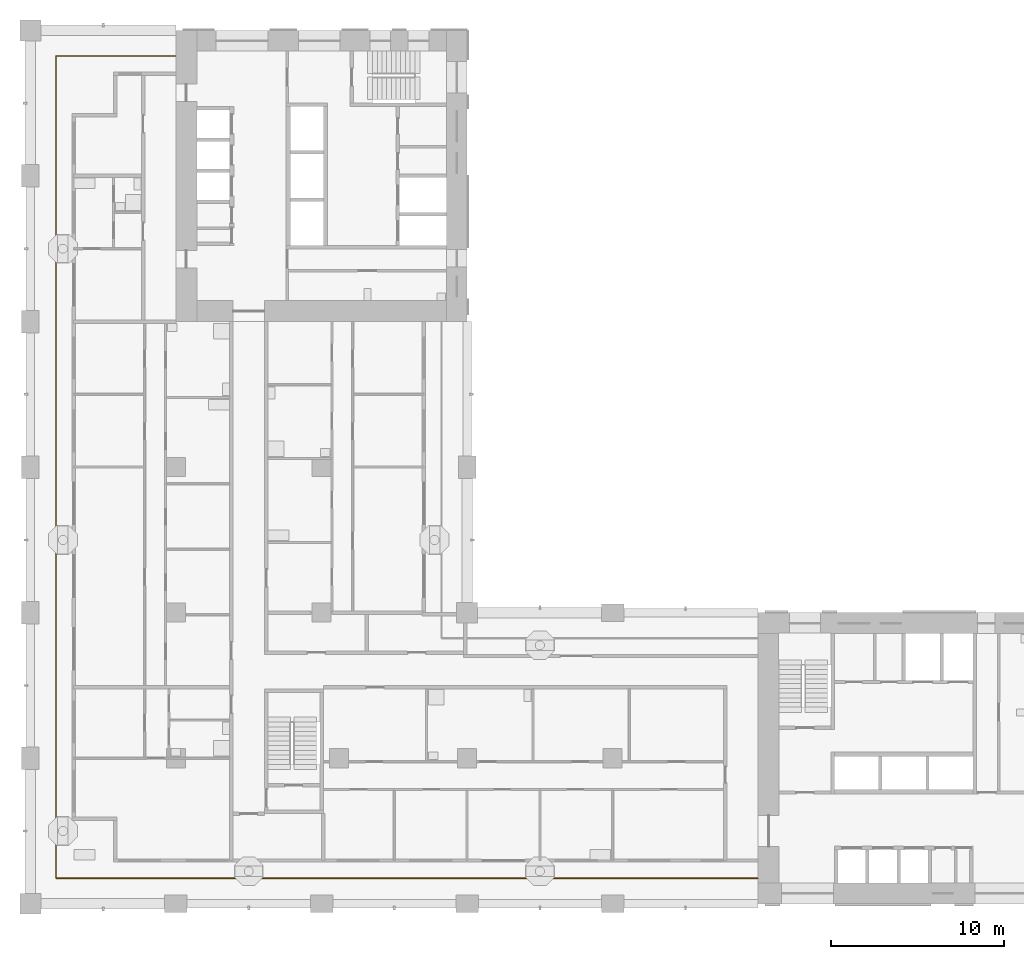
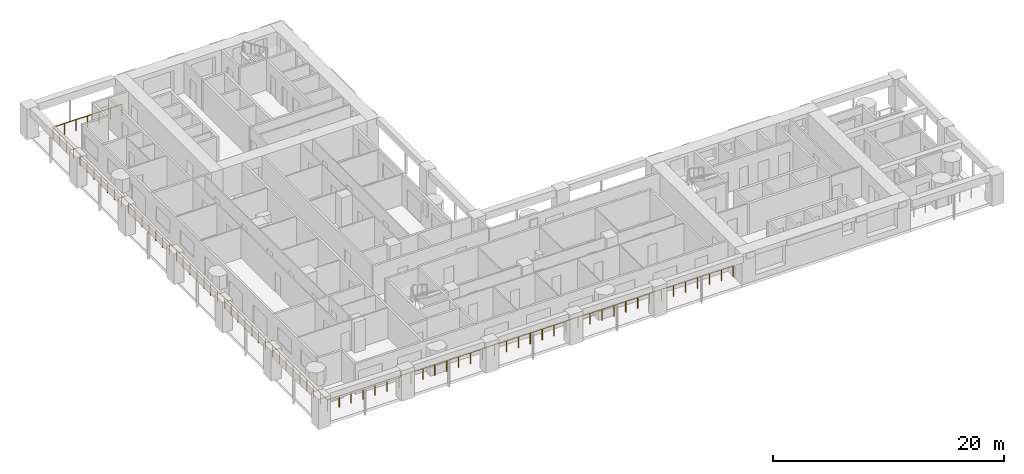
# One storey, part 10 of 18: 1 railing.
"""IFC4 building model written with IfcOpenShell, lengths in metres."""

from ifc_helpers import new_model, si_unit, direction, frame, origin, origin_2d, place, context, subcontext, project, spatial, circle, extrude, material, type_object, element, save


model = new_model("IFC4")

# Units and contexts
model_context = context("Model", 3, precision=1e-05, world=origin(), true_north=direction((0.0, 1.0)))
body_context = subcontext(model_context, "Body", "Model", "MODEL_VIEW")
ifc_project = project(units=[si_unit("LENGTHUNIT", "METRE"), si_unit("AREAUNIT", "SQUARE_METRE"), si_unit("VOLUMEUNIT", "CUBIC_METRE"), si_unit("PLANEANGLEUNIT", "RADIAN"), si_unit("MASSUNIT", "GRAM", prefix="KILO")], contexts=[model_context])

# Site, building, storey
site_placement = place(None, origin())
site = spatial("IfcSite", under=ifc_project, at=site_placement, CompositionType="ELEMENT")
building_placement = place(site_placement, origin())
building = spatial("IfcBuilding", under=site, at=building_placement, Name="Vermilion Gate Residences", CompositionType="ELEMENT")
storey_placement = place(building_placement, frame((0.0, 0.0, 109.199951171875)))
storey = spatial("IfcBuildingStorey", under=building, at=storey_placement, Name="L27", CompositionType="ELEMENT", Elevation=109.199951171875)

# Railing
ifc_material = material(Name="Stainless steel and toughened glass", Category="steel")
railing_type = type_object("IfcRailingType", Name="LOGGIA GUARD STEEL AND GLASS 1200", PredefinedType="GUARDRAIL", material=ifc_material)
railing_placement = place(storey_placement, frame((8.3779296875, 57.324951171875, 0.0)))
element("IfcRailing", 1, at=railing_placement, inside=storey, type_object=railing_type, Name="Loggia guard", PredefinedType="GUARDRAIL", context=body_context, shape_type="SweptSolid", body=[
    extrude(circle(Radius=0.030029296875, at=origin_2d()), frame((0.0, 0.0, 1.169921875), z_axis=(-1.0, 0.0, 0.0), x_axis=(0.0, -1.0, 0.0)), (0.0, 0.0, 1.0), 6.90283203125),
    extrude(circle(Radius=0.030029296875, at=origin_2d()), frame((-6.90283203125, 0.0, 1.169921875), z_axis=(0.0, -1.0, 0.0), x_axis=(1.0, 0.0, 0.0)), (0.0, 0.0, 1.0), 47.449951171875),
    extrude(circle(Radius=0.030029296875, at=origin_2d()), frame((-6.90283203125, -47.449951171875, 1.169921875), z_axis=(1.0, 0.0, 0.0), x_axis=(0.0, 1.0, 0.0)), (0.0, 0.0, 1.0), 40.5029296875),
    extrude(circle(Radius=0.02490234375, at=origin_2d()), origin(), (0.0, 0.0, 1.0), 1.139892578125),
    extrude(circle(Radius=0.02490234375, at=origin_2d()), frame((-1.150390625, 0.0, 0.0)), (0.0, 0.0, 1.0), 1.139892578125),
    extrude(circle(Radius=0.02490234375, at=origin_2d()), frame((-2.301025390625, 0.0, 0.0)), (0.0, 0.0, 1.0), 1.139892578125),
    extrude(circle(Radius=0.02490234375, at=origin_2d()), frame((-3.451416015625, 0.0, 0.0)), (0.0, 0.0, 1.0), 1.139892578125),
    extrude(circle(Radius=0.02490234375, at=origin_2d()), frame((-4.601806640625, 0.0, 0.0)), (0.0, 0.0, 1.0), 1.139892578125),
    extrude(circle(Radius=0.02490234375, at=origin_2d()), frame((-5.75244140625, 0.0, 0.0)), (0.0, 0.0, 1.0), 1.139892578125),
    extrude(circle(Radius=0.02490234375, at=origin_2d()), frame((-6.90283203125, 0.0, 0.0)), (0.0, 0.0, 1.0), 1.139892578125),
    extrude(circle(Radius=0.02490234375, at=origin_2d()), frame((-6.90283203125, -1.186279296875, 0.0)), (0.0, 0.0, 1.0), 1.139892578125),
    extrude(circle(Radius=0.02490234375, at=origin_2d()), frame((-6.90283203125, -2.37255859375, 0.0)), (0.0, 0.0, 1.0), 1.139892578125),
    extrude(circle(Radius=0.02490234375, at=origin_2d()), frame((-6.90283203125, -3.558837890625, 0.0)), (0.0, 0.0, 1.0), 1.139892578125),
    extrude(circle(Radius=0.02490234375, at=origin_2d()), frame((-6.90283203125, -4.7451171875, 0.0)), (0.0, 0.0, 1.0), 1.139892578125),
    extrude(circle(Radius=0.02490234375, at=origin_2d()), frame((-6.90283203125, -5.93115234375, 0.0)), (0.0, 0.0, 1.0), 1.139892578125),
    extrude(circle(Radius=0.02490234375, at=origin_2d()), frame((-6.90283203125, -7.117431640625, 0.0)), (0.0, 0.0, 1.0), 1.139892578125),
    extrude(circle(Radius=0.02490234375, at=origin_2d()), frame((-6.90283203125, -8.3037109375, 0.0)), (0.0, 0.0, 1.0), 1.139892578125),
    extrude(circle(Radius=0.02490234375, at=origin_2d()), frame((-6.90283203125, -9.489990234375, 0.0)), (0.0, 0.0, 1.0), 1.139892578125),
    extrude(circle(Radius=0.02490234375, at=origin_2d()), frame((-6.90283203125, -10.67626953125, 0.0)), (0.0, 0.0, 1.0), 1.139892578125),
    extrude(circle(Radius=0.02490234375, at=origin_2d()), frame((-6.90283203125, -11.862548828125, 0.0)), (0.0, 0.0, 1.0), 1.139892578125),
    extrude(circle(Radius=0.02490234375, at=origin_2d()), frame((-6.90283203125, -13.048828125, 0.0)), (0.0, 0.0, 1.0), 1.139892578125),
    extrude(circle(Radius=0.02490234375, at=origin_2d()), frame((-6.90283203125, -14.23486328125, 0.0)), (0.0, 0.0, 1.0), 1.139892578125),
    extrude(circle(Radius=0.02490234375, at=origin_2d()), frame((-6.90283203125, -15.421142578125, 0.0)), (0.0, 0.0, 1.0), 1.139892578125),
    extrude(circle(Radius=0.02490234375, at=origin_2d()), frame((-6.90283203125, -16.607421875, 0.0)), (0.0, 0.0, 1.0), 1.139892578125),
    extrude(circle(Radius=0.02490234375, at=origin_2d()), frame((-6.90283203125, -17.793701171875, 0.0)), (0.0, 0.0, 1.0), 1.139892578125),
    extrude(circle(Radius=0.02490234375, at=origin_2d()), frame((-6.90283203125, -18.97998046875, 0.0)), (0.0, 0.0, 1.0), 1.139892578125),
    extrude(circle(Radius=0.02490234375, at=origin_2d()), frame((-6.90283203125, -20.166259765625, 0.0)), (0.0, 0.0, 1.0), 1.139892578125),
    extrude(circle(Radius=0.02490234375, at=origin_2d()), frame((-6.90283203125, -21.3525390625, 0.0)), (0.0, 0.0, 1.0), 1.139892578125),
    extrude(circle(Radius=0.02490234375, at=origin_2d()), frame((-6.90283203125, -22.538818359375, 0.0)), (0.0, 0.0, 1.0), 1.139892578125),
    extrude(circle(Radius=0.02490234375, at=origin_2d()), frame((-6.90283203125, -23.72509765625, 0.0)), (0.0, 0.0, 1.0), 1.139892578125),
    extrude(circle(Radius=0.02490234375, at=origin_2d()), frame((-6.90283203125, -24.9111328125, 0.0)), (0.0, 0.0, 1.0), 1.139892578125),
    extrude(circle(Radius=0.02490234375, at=origin_2d()), frame((-6.90283203125, -26.097412109375, 0.0)), (0.0, 0.0, 1.0), 1.139892578125),
    extrude(circle(Radius=0.02490234375, at=origin_2d()), frame((-6.90283203125, -27.28369140625, 0.0)), (0.0, 0.0, 1.0), 1.139892578125),
    extrude(circle(Radius=0.02490234375, at=origin_2d()), frame((-6.90283203125, -28.469970703125, 0.0)), (0.0, 0.0, 1.0), 1.139892578125),
    extrude(circle(Radius=0.02490234375, at=origin_2d()), frame((-6.90283203125, -29.65625, 0.0)), (0.0, 0.0, 1.0), 1.139892578125),
    extrude(circle(Radius=0.02490234375, at=origin_2d()), frame((-6.90283203125, -30.842529296875, 0.0)), (0.0, 0.0, 1.0), 1.139892578125),
    extrude(circle(Radius=0.02490234375, at=origin_2d()), frame((-6.90283203125, -32.02880859375, 0.0)), (0.0, 0.0, 1.0), 1.139892578125),
    extrude(circle(Radius=0.02490234375, at=origin_2d()), frame((-6.90283203125, -33.21484375, 0.0)), (0.0, 0.0, 1.0), 1.139892578125),
    extrude(circle(Radius=0.02490234375, at=origin_2d()), frame((-6.90283203125, -34.401123046875, 0.0)), (0.0, 0.0, 1.0), 1.139892578125),
    extrude(circle(Radius=0.02490234375, at=origin_2d()), frame((-6.90283203125, -35.58740234375, 0.0)), (0.0, 0.0, 1.0), 1.139892578125),
    extrude(circle(Radius=0.02490234375, at=origin_2d()), frame((-6.90283203125, -36.773681640625, 0.0)), (0.0, 0.0, 1.0), 1.139892578125),
    extrude(circle(Radius=0.02490234375, at=origin_2d()), frame((-6.90283203125, -37.9599609375, 0.0)), (0.0, 0.0, 1.0), 1.139892578125),
    extrude(circle(Radius=0.02490234375, at=origin_2d()), frame((-6.90283203125, -39.146240234375, 0.0)), (0.0, 0.0, 1.0), 1.139892578125),
    extrude(circle(Radius=0.02490234375, at=origin_2d()), frame((-6.90283203125, -40.33251953125, 0.0)), (0.0, 0.0, 1.0), 1.139892578125),
    extrude(circle(Radius=0.02490234375, at=origin_2d()), frame((-6.90283203125, -41.518798828125, 0.0)), (0.0, 0.0, 1.0), 1.139892578125),
    extrude(circle(Radius=0.02490234375, at=origin_2d()), frame((-6.90283203125, -42.705078125, 0.0)), (0.0, 0.0, 1.0), 1.139892578125),
    extrude(circle(Radius=0.02490234375, at=origin_2d()), frame((-6.90283203125, -43.89111328125, 0.0)), (0.0, 0.0, 1.0), 1.139892578125),
    extrude(circle(Radius=0.02490234375, at=origin_2d()), frame((-6.90283203125, -45.077392578125, 0.0)), (0.0, 0.0, 1.0), 1.139892578125),
    extrude(circle(Radius=0.02490234375, at=origin_2d()), frame((-6.90283203125, -46.263671875, 0.0)), (0.0, 0.0, 1.0), 1.139892578125),
    extrude(circle(Radius=0.02490234375, at=origin_2d()), frame((-6.90283203125, -47.449951171875, 0.0)), (0.0, 0.0, 1.0), 1.139892578125),
    extrude(circle(Radius=0.02490234375, at=origin_2d()), frame((-5.711669921875, -47.449951171875, 0.0)), (0.0, 0.0, 1.0), 1.139892578125),
    extrude(circle(Radius=0.02490234375, at=origin_2d()), frame((-4.520263671875, -47.449951171875, 0.0)), (0.0, 0.0, 1.0), 1.139892578125),
    extrude(circle(Radius=0.02490234375, at=origin_2d()), frame((-3.3291015625, -47.449951171875, 0.0)), (0.0, 0.0, 1.0), 1.139892578125),
    extrude(circle(Radius=0.02490234375, at=origin_2d()), frame((-2.1376953125, -47.449951171875, 0.0)), (0.0, 0.0, 1.0), 1.139892578125),
    extrude(circle(Radius=0.02490234375, at=origin_2d()), frame((-0.946533203125, -47.449951171875, 0.0)), (0.0, 0.0, 1.0), 1.139892578125),
    extrude(circle(Radius=0.02490234375, at=origin_2d()), frame((0.24462890625, -47.449951171875, 0.0)), (0.0, 0.0, 1.0), 1.139892578125),
    extrude(circle(Radius=0.02490234375, at=origin_2d()), frame((1.43603515625, -47.449951171875, 0.0)), (0.0, 0.0, 1.0), 1.139892578125),
    extrude(circle(Radius=0.02490234375, at=origin_2d()), frame((2.627197265625, -47.449951171875, 0.0)), (0.0, 0.0, 1.0), 1.139892578125),
    extrude(circle(Radius=0.02490234375, at=origin_2d()), frame((3.818603515625, -47.449951171875, 0.0)), (0.0, 0.0, 1.0), 1.139892578125),
    extrude(circle(Radius=0.02490234375, at=origin_2d()), frame((5.009765625, -47.449951171875, 0.0)), (0.0, 0.0, 1.0), 1.139892578125),
    extrude(circle(Radius=0.02490234375, at=origin_2d()), frame((6.201171875, -47.449951171875, 0.0)), (0.0, 0.0, 1.0), 1.139892578125),
    extrude(circle(Radius=0.02490234375, at=origin_2d()), frame((7.392333984375, -47.449951171875, 0.0)), (0.0, 0.0, 1.0), 1.139892578125),
    extrude(circle(Radius=0.02490234375, at=origin_2d()), frame((8.58349609375, -47.449951171875, 0.0)), (0.0, 0.0, 1.0), 1.139892578125),
    extrude(circle(Radius=0.02490234375, at=origin_2d()), frame((9.77490234375, -47.449951171875, 0.0)), (0.0, 0.0, 1.0), 1.139892578125),
    extrude(circle(Radius=0.02490234375, at=origin_2d()), frame((10.966064453125, -47.449951171875, 0.0)), (0.0, 0.0, 1.0), 1.139892578125),
    extrude(circle(Radius=0.02490234375, at=origin_2d()), frame((12.157470703125, -47.449951171875, 0.0)), (0.0, 0.0, 1.0), 1.139892578125),
    extrude(circle(Radius=0.02490234375, at=origin_2d()), frame((13.3486328125, -47.449951171875, 0.0)), (0.0, 0.0, 1.0), 1.139892578125),
    extrude(circle(Radius=0.02490234375, at=origin_2d()), frame((14.539794921875, -47.449951171875, 0.0)), (0.0, 0.0, 1.0), 1.139892578125),
    extrude(circle(Radius=0.02490234375, at=origin_2d()), frame((15.731201171875, -47.449951171875, 0.0)), (0.0, 0.0, 1.0), 1.139892578125),
    extrude(circle(Radius=0.02490234375, at=origin_2d()), frame((16.92236328125, -47.449951171875, 0.0)), (0.0, 0.0, 1.0), 1.139892578125),
    extrude(circle(Radius=0.02490234375, at=origin_2d()), frame((18.11376953125, -47.449951171875, 0.0)), (0.0, 0.0, 1.0), 1.139892578125),
    extrude(circle(Radius=0.02490234375, at=origin_2d()), frame((19.304931640625, -47.449951171875, 0.0)), (0.0, 0.0, 1.0), 1.139892578125),
    extrude(circle(Radius=0.02490234375, at=origin_2d()), frame((20.49609375, -47.449951171875, 0.0)), (0.0, 0.0, 1.0), 1.139892578125),
    extrude(circle(Radius=0.02490234375, at=origin_2d()), frame((21.6875, -47.449951171875, 0.0)), (0.0, 0.0, 1.0), 1.139892578125),
    extrude(circle(Radius=0.02490234375, at=origin_2d()), frame((22.878662109375, -47.449951171875, 0.0)), (0.0, 0.0, 1.0), 1.139892578125),
    extrude(circle(Radius=0.02490234375, at=origin_2d()), frame((24.070068359375, -47.449951171875, 0.0)), (0.0, 0.0, 1.0), 1.139892578125),
    extrude(circle(Radius=0.02490234375, at=origin_2d()), frame((25.26123046875, -47.449951171875, 0.0)), (0.0, 0.0, 1.0), 1.139892578125),
    extrude(circle(Radius=0.02490234375, at=origin_2d()), frame((26.45263671875, -47.449951171875, 0.0)), (0.0, 0.0, 1.0), 1.139892578125),
    extrude(circle(Radius=0.02490234375, at=origin_2d()), frame((27.643798828125, -47.449951171875, 0.0)), (0.0, 0.0, 1.0), 1.139892578125),
    extrude(circle(Radius=0.02490234375, at=origin_2d()), frame((28.8349609375, -47.449951171875, 0.0)), (0.0, 0.0, 1.0), 1.139892578125),
    extrude(circle(Radius=0.02490234375, at=origin_2d()), frame((30.0263671875, -47.449951171875, 0.0)), (0.0, 0.0, 1.0), 1.139892578125),
    extrude(circle(Radius=0.02490234375, at=origin_2d()), frame((31.217529296875, -47.449951171875, 0.0)), (0.0, 0.0, 1.0), 1.139892578125),
    extrude(circle(Radius=0.02490234375, at=origin_2d()), frame((32.408935546875, -47.449951171875, 0.0)), (0.0, 0.0, 1.0), 1.139892578125),
    extrude(circle(Radius=0.02490234375, at=origin_2d()), frame((33.60009765625, -47.449951171875, 0.0)), (0.0, 0.0, 1.0), 1.139892578125),
])

save(model, "model.ifc")
